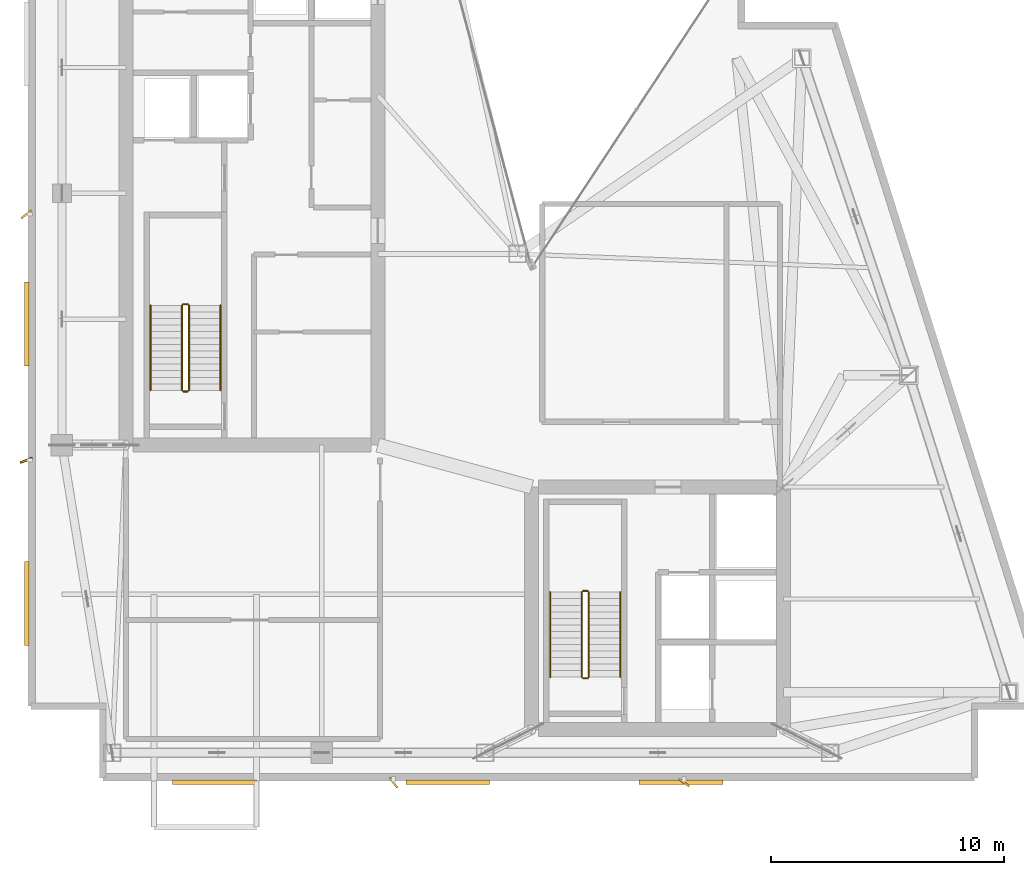
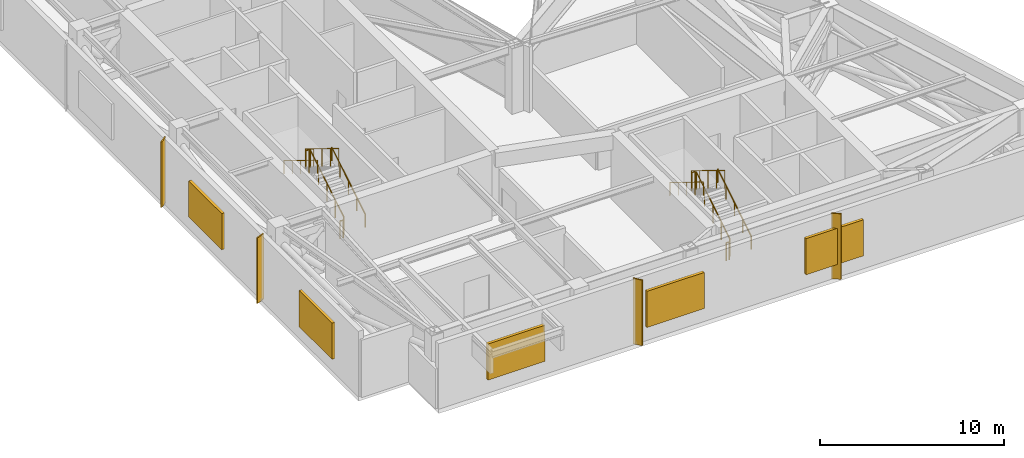
# One storey, part 14 of 15: 12 railings, 9 shading devices.
"""IFC4 building model written with IfcOpenShell, lengths in metres."""

from ifc_helpers import new_model, si_unit, direction, frame, origin, origin_2d, place, context, subcontext, project, spatial, rectangle, circle, extrude, material, type_object, element, save


model = new_model("IFC4")

# Units and contexts
model_context = context("Model", 3, precision=1e-05, world=origin(), true_north=direction((0.0, 1.0)))
body_context = subcontext(model_context, "Body", "Model", "MODEL_VIEW")
ifc_project = project(units=[si_unit("LENGTHUNIT", "METRE"), si_unit("AREAUNIT", "SQUARE_METRE"), si_unit("VOLUMEUNIT", "CUBIC_METRE"), si_unit("PLANEANGLEUNIT", "RADIAN"), si_unit("MASSUNIT", "GRAM", prefix="KILO")], contexts=[model_context])

# Site, building, storey
site_placement = place(None, origin())
site = spatial("IfcSite", under=ifc_project, at=site_placement, CompositionType="ELEMENT")
building_placement = place(site_placement, origin())
building = spatial("IfcBuilding", under=site, at=building_placement, Name="Calvorn Quay Hotel", CompositionType="ELEMENT")
storey_placement = place(building_placement, frame((0.0, 0.0, 282.5)))
storey = spatial("IfcBuildingStorey", under=building, at=storey_placement, Name="L70", CompositionType="ELEMENT", Elevation=282.5)

# Railings
ifc_material_1 = material(Name="Brushed Stainless Steel Handrail", Category="steel")
railing_type_1 = type_object("IfcRailingType", Name="RLG-HANDRAIL-900", PredefinedType="HANDRAIL", material=ifc_material_1)
railing_1_placement = place(storey_placement, frame((8.25, 19.14990234375, 0.17138671875)))
element("IfcRailing", 1, at=railing_1_placement, inside=storey, type_object=railing_type_1, Name="L70 ST-W stair handrail 1", PredefinedType="HANDRAIL", context=body_context, shape_type="SweptSolid", body=[
    extrude(circle(Radius=0.02392578125, at=origin_2d()), frame((0.0, 0.0, 0.8759765625), z_axis=(0.0, 0.852865859571, 0.52213008492), x_axis=(-1.0, 0.0, 0.0)), (0.0, 0.0, 1.0), 4.26806640625),
    extrude(circle(Radius=0.02099609375, at=origin_2d()), origin(), (0.0, 0.0, 1.0), 0.851806640625),
    extrude(circle(Radius=0.02099609375, at=origin_2d()), frame((0.0, 0.91015625, 0.55712890625)), (0.0, 0.0, 1.0), 0.851806640625),
    extrude(circle(Radius=0.02099609375, at=origin_2d()), frame((0.0, 1.820068359375, 1.1142578125)), (0.0, 0.0, 1.0), 0.851806640625),
    extrude(circle(Radius=0.02099609375, at=origin_2d()), frame((0.0, 2.72998046875, 1.67138671875)), (0.0, 0.0, 1.0), 0.851806640625),
    extrude(circle(Radius=0.02099609375, at=origin_2d()), frame((0.0, 3.64013671875, 2.228515625)), (0.0, 0.0, 1.0), 0.851806640625),
])
railing_2_placement = place(storey_placement, frame((5.25, 22.7900390625, 2.571533203125)))
element("IfcRailing", 2, at=railing_2_placement, inside=storey, type_object=railing_type_1, Name="L70 ST-W stair handrail 2", PredefinedType="HANDRAIL", context=body_context, shape_type="SweptSolid", body=[
    extrude(circle(Radius=0.02392578125, at=origin_2d()), frame((0.0, 0.0, 0.8759765625), z_axis=(0.0, -0.852865859571, 0.52213008492), x_axis=(1.0, 0.0, 0.0)), (0.0, 0.0, 1.0), 4.26806640625),
    extrude(circle(Radius=0.02099609375, at=origin_2d()), origin(), (0.0, 0.0, 1.0), 0.851806640625),
    extrude(circle(Radius=0.02099609375, at=origin_2d()), frame((0.0, -0.91015625, 0.55712890625)), (0.0, 0.0, 1.0), 0.851806640625),
    extrude(circle(Radius=0.02099609375, at=origin_2d()), frame((0.0, -1.820068359375, 1.1142578125)), (0.0, 0.0, 1.0), 0.851806640625),
    extrude(circle(Radius=0.02099609375, at=origin_2d()), frame((0.0, -2.72998046875, 1.67138671875)), (0.0, 0.0, 1.0), 0.851806640625),
    extrude(circle(Radius=0.02099609375, at=origin_2d()), frame((0.0, -3.64013671875, 2.228515625)), (0.0, 0.0, 1.0), 0.851806640625),
])
railing_3_placement = place(storey_placement, frame((25.39990234375, 6.85009765625, 0.17138671875)))
element("IfcRailing", 3, at=railing_3_placement, inside=storey, type_object=railing_type_1, Name="L70 ST-E stair handrail 1", PredefinedType="HANDRAIL", context=body_context, shape_type="SweptSolid", body=[
    extrude(circle(Radius=0.02392578125, at=origin_2d()), frame((0.0, 0.0, 0.8759765625), z_axis=(0.0, 0.852850264322, 0.5221555579), x_axis=(-1.0, 0.0, 0.0)), (0.0, 0.0, 1.0), 4.267822265625),
    extrude(circle(Radius=0.02099609375, at=origin_2d()), origin(), (0.0, 0.0, 1.0), 0.851806640625),
    extrude(circle(Radius=0.02099609375, at=origin_2d()), frame((0.0, 0.909912109375, 0.55712890625)), (0.0, 0.0, 1.0), 0.851806640625),
    extrude(circle(Radius=0.02099609375, at=origin_2d()), frame((0.0, 1.81982421875, 1.1142578125)), (0.0, 0.0, 1.0), 0.851806640625),
    extrude(circle(Radius=0.02099609375, at=origin_2d()), frame((0.0, 2.72998046875, 1.67138671875)), (0.0, 0.0, 1.0), 0.851806640625),
    extrude(circle(Radius=0.02099609375, at=origin_2d()), frame((0.0, 3.639892578125, 2.228515625)), (0.0, 0.0, 1.0), 0.851806640625),
])
railing_4_placement = place(storey_placement, frame((22.39990234375, 10.489990234375, 2.571533203125)))
element("IfcRailing", 4, at=railing_4_placement, inside=storey, type_object=railing_type_1, Name="L70 ST-E stair handrail 2", PredefinedType="HANDRAIL", context=body_context, shape_type="SweptSolid", body=[
    extrude(circle(Radius=0.02392578125, at=origin_2d()), frame((0.0, 0.0, 0.8759765625), z_axis=(0.0, -0.852850264322, 0.5221555579), x_axis=(1.0, 0.0, 0.0)), (0.0, 0.0, 1.0), 4.267822265625),
    extrude(circle(Radius=0.02099609375, at=origin_2d()), origin(), (0.0, 0.0, 1.0), 0.851806640625),
    extrude(circle(Radius=0.02099609375, at=origin_2d()), frame((0.0, -0.909912109375, 0.55712890625)), (0.0, 0.0, 1.0), 0.851806640625),
    extrude(circle(Radius=0.02099609375, at=origin_2d()), frame((0.0, -1.81982421875, 1.1142578125)), (0.0, 0.0, 1.0), 0.851806640625),
    extrude(circle(Radius=0.02099609375, at=origin_2d()), frame((0.0, -2.72998046875, 1.67138671875)), (0.0, 0.0, 1.0), 0.851806640625),
    extrude(circle(Radius=0.02099609375, at=origin_2d()), frame((0.0, -3.639892578125, 2.228515625)), (0.0, 0.0, 1.0), 0.851806640625),
])
ifc_material_2 = material(Name="Painted Galvanised Steel Balustrade", Category="steel")
railing_type_2 = type_object("IfcRailingType", Name="RLG-STAIR-GUARD-1120", PredefinedType="GUARDRAIL", material=ifc_material_2)
railing_5_placement = place(storey_placement, frame((6.89990234375, 19.14990234375, 0.17138671875)))
element("IfcRailing", 5, at=railing_5_placement, inside=storey, type_object=railing_type_2, Name="L70 ST-W stair guard 1", PredefinedType="GUARDRAIL", context=body_context, shape_type="SweptSolid", body=[
    extrude(circle(Radius=0.02392578125, at=origin_2d()), frame((0.0, 0.0, 1.17578125), z_axis=(0.0, 0.852865859571, 0.52213008492), x_axis=(-1.0, 0.0, 0.0)), (0.0, 0.0, 1.0), 4.26806640625),
    extrude(circle(Radius=0.02099609375, at=origin_2d()), origin(), (0.0, 0.0, 1.0), 1.15185546875),
    extrude(circle(Radius=0.02099609375, at=origin_2d()), frame((0.0, 0.91015625, 0.55712890625)), (0.0, 0.0, 1.0), 1.15185546875),
    extrude(circle(Radius=0.02099609375, at=origin_2d()), frame((0.0, 1.820068359375, 1.1142578125)), (0.0, 0.0, 1.0), 1.15185546875),
    extrude(circle(Radius=0.02099609375, at=origin_2d()), frame((0.0, 2.72998046875, 1.67138671875)), (0.0, 0.0, 1.0), 1.15185546875),
    extrude(circle(Radius=0.02099609375, at=origin_2d()), frame((0.0, 3.64013671875, 2.228515625)), (0.0, 0.0, 1.0), 1.15185546875),
])
railing_6_placement = place(storey_placement, frame((6.85009765625, 22.840087890625, 2.39990234375)))
element("IfcRailing", 6, at=railing_6_placement, inside=storey, type_object=railing_type_2, Name="L70 ST-W stair guard 2", PredefinedType="GUARDRAIL", context=body_context, shape_type="SweptSolid", body=[
    extrude(circle(Radius=0.02392578125, at=origin_2d()), frame((0.0, 0.0, 1.17578125), z_axis=(-1.0, 0.0, 0.0), x_axis=(0.0, -1.0, 0.0)), (0.0, 0.0, 1.0), 0.2001953125),
    extrude(circle(Radius=0.02099609375, at=origin_2d()), origin(), (0.0, 0.0, 1.0), 1.15185546875),
    extrude(circle(Radius=0.02099609375, at=origin_2d()), frame((-0.2001953125, 0.0, 0.0)), (0.0, 0.0, 1.0), 1.15185546875),
])
railing_7_placement = place(storey_placement, frame((6.60009765625, 22.7900390625, 2.571533203125)))
element("IfcRailing", 7, at=railing_7_placement, inside=storey, type_object=railing_type_2, Name="L70 ST-W stair guard 3", PredefinedType="GUARDRAIL", context=body_context, shape_type="SweptSolid", body=[
    extrude(circle(Radius=0.02392578125, at=origin_2d()), frame((0.0, 0.0, 1.17578125), z_axis=(0.0, -0.852865859571, 0.52213008492), x_axis=(1.0, 0.0, 0.0)), (0.0, 0.0, 1.0), 4.26806640625),
    extrude(circle(Radius=0.02099609375, at=origin_2d()), origin(), (0.0, 0.0, 1.0), 1.15185546875),
    extrude(circle(Radius=0.02099609375, at=origin_2d()), frame((0.0, -0.91015625, 0.55712890625)), (0.0, 0.0, 1.0), 1.15185546875),
    extrude(circle(Radius=0.02099609375, at=origin_2d()), frame((0.0, -1.820068359375, 1.1142578125)), (0.0, 0.0, 1.0), 1.15185546875),
    extrude(circle(Radius=0.02099609375, at=origin_2d()), frame((0.0, -2.72998046875, 1.67138671875)), (0.0, 0.0, 1.0), 1.15185546875),
    extrude(circle(Radius=0.02099609375, at=origin_2d()), frame((0.0, -3.64013671875, 2.228515625)), (0.0, 0.0, 1.0), 1.15185546875),
])
railing_8_placement = place(storey_placement, frame((6.85009765625, 19.10009765625, 0.0)))
element("IfcRailing", 8, at=railing_8_placement, inside=storey, type_object=railing_type_2, Name="L70 ST-W stair guard 4", PredefinedType="GUARDRAIL", context=body_context, shape_type="SweptSolid", body=[
    extrude(circle(Radius=0.02392578125, at=origin_2d()), frame((0.0, 0.0, 1.17578125), z_axis=(-1.0, 0.0, 0.0), x_axis=(0.0, -1.0, 0.0)), (0.0, 0.0, 1.0), 0.2001953125),
    extrude(circle(Radius=0.02099609375, at=origin_2d()), origin(), (0.0, 0.0, 1.0), 1.15185546875),
    extrude(circle(Radius=0.02099609375, at=origin_2d()), frame((-0.2001953125, 0.0, 0.0)), (0.0, 0.0, 1.0), 1.15185546875),
])
railing_9_placement = place(storey_placement, frame((24.050048828125, 6.85009765625, 0.17138671875)))
element("IfcRailing", 9, at=railing_9_placement, inside=storey, type_object=railing_type_2, Name="L70 ST-E stair guard 1", PredefinedType="GUARDRAIL", context=body_context, shape_type="SweptSolid", body=[
    extrude(circle(Radius=0.02392578125, at=origin_2d()), frame((0.0, 0.0, 1.17578125), z_axis=(0.0, 0.852850264322, 0.5221555579), x_axis=(-1.0, 0.0, 0.0)), (0.0, 0.0, 1.0), 4.267822265625),
    extrude(circle(Radius=0.02099609375, at=origin_2d()), origin(), (0.0, 0.0, 1.0), 1.15185546875),
    extrude(circle(Radius=0.02099609375, at=origin_2d()), frame((0.0, 0.909912109375, 0.55712890625)), (0.0, 0.0, 1.0), 1.15185546875),
    extrude(circle(Radius=0.02099609375, at=origin_2d()), frame((0.0, 1.81982421875, 1.1142578125)), (0.0, 0.0, 1.0), 1.15185546875),
    extrude(circle(Radius=0.02099609375, at=origin_2d()), frame((0.0, 2.72998046875, 1.67138671875)), (0.0, 0.0, 1.0), 1.15185546875),
    extrude(circle(Radius=0.02099609375, at=origin_2d()), frame((0.0, 3.639892578125, 2.228515625)), (0.0, 0.0, 1.0), 1.15185546875),
])
railing_10_placement = place(storey_placement, frame((24.0, 10.5400390625, 2.39990234375)))
element("IfcRailing", 10, at=railing_10_placement, inside=storey, type_object=railing_type_2, Name="L70 ST-E stair guard 2", PredefinedType="GUARDRAIL", context=body_context, shape_type="SweptSolid", body=[
    extrude(circle(Radius=0.02392578125, at=origin_2d()), frame((0.0, 0.0, 1.17578125), z_axis=(-1.0, 0.0, 0.0), x_axis=(0.0, -1.0, 0.0)), (0.0, 0.0, 1.0), 0.199951171875),
    extrude(circle(Radius=0.02099609375, at=origin_2d()), origin(), (0.0, 0.0, 1.0), 1.15185546875),
    extrude(circle(Radius=0.02099609375, at=origin_2d()), frame((-0.199951171875, 0.0, 0.0)), (0.0, 0.0, 1.0), 1.15185546875),
])
railing_11_placement = place(storey_placement, frame((23.75, 10.489990234375, 2.571533203125)))
element("IfcRailing", 11, at=railing_11_placement, inside=storey, type_object=railing_type_2, Name="L70 ST-E stair guard 3", PredefinedType="GUARDRAIL", context=body_context, shape_type="SweptSolid", body=[
    extrude(circle(Radius=0.02392578125, at=origin_2d()), frame((0.0, 0.0, 1.17578125), z_axis=(0.0, -0.852850264322, 0.5221555579), x_axis=(1.0, 0.0, 0.0)), (0.0, 0.0, 1.0), 4.267822265625),
    extrude(circle(Radius=0.02099609375, at=origin_2d()), origin(), (0.0, 0.0, 1.0), 1.15185546875),
    extrude(circle(Radius=0.02099609375, at=origin_2d()), frame((0.0, -0.909912109375, 0.55712890625)), (0.0, 0.0, 1.0), 1.15185546875),
    extrude(circle(Radius=0.02099609375, at=origin_2d()), frame((0.0, -1.81982421875, 1.1142578125)), (0.0, 0.0, 1.0), 1.15185546875),
    extrude(circle(Radius=0.02099609375, at=origin_2d()), frame((0.0, -2.72998046875, 1.67138671875)), (0.0, 0.0, 1.0), 1.15185546875),
    extrude(circle(Radius=0.02099609375, at=origin_2d()), frame((0.0, -3.639892578125, 2.228515625)), (0.0, 0.0, 1.0), 1.15185546875),
])
railing_12_placement = place(storey_placement, frame((24.0, 6.800048828125, 0.0)))
element("IfcRailing", 12, at=railing_12_placement, inside=storey, type_object=railing_type_2, Name="L70 ST-E stair guard 4", PredefinedType="GUARDRAIL", context=body_context, shape_type="SweptSolid", body=[
    extrude(circle(Radius=0.02392578125, at=origin_2d()), frame((0.0, 0.0, 1.17578125), z_axis=(-1.0, 0.0, 0.0), x_axis=(0.0, -1.0, 0.0)), (0.0, 0.0, 1.0), 0.199951171875),
    extrude(circle(Radius=0.02099609375, at=origin_2d()), origin(), (0.0, 0.0, 1.0), 1.15185546875),
    extrude(circle(Radius=0.02099609375, at=origin_2d()), frame((-0.199951171875, 0.0, 0.0)), (0.0, 0.0, 1.0), 1.15185546875),
])

# Shading devices
ifc_material_3 = material(Name="Champagne Bronze Anodised Aluminium 6063-T6", Category="aluminium")
shading_device_type_1 = type_object("IfcShadingDeviceType", Name="SHD-FIN-A1", PredefinedType="USERDEFINED", material=ifc_material_3)
shading_device_1_placement = place(storey_placement, frame((-0.080078125, 16.14990234375, 0.0), z_axis=(0.0, 0.0, 1.0), x_axis=(0.927183854567, 0.374606593416, 0.0)))
element("IfcShadingDevice", 13, at=shading_device_1_placement, inside=storey, type_object=shading_device_type_1, Name="Diagonal Sun-Shading Fin L70-W01", ObjectType="FIN", PredefinedType="USERDEFINED", context=body_context, shape_type="SweptSolid", body=[
    extrude(rectangle(XDim=0.550048828125, YDim=0.080078125, at=origin_2d()), origin(), (0.0, 0.0, 1.0), 4.35009765625),
])
ifc_material_4 = material(Name="Champagne Bronze Anodised Aluminium 6063-T6", Category="aluminium")
shading_device_type_2 = type_object("IfcShadingDeviceType", Name="SHD-FIN-A2", PredefinedType="USERDEFINED", material=ifc_material_4)
for number, where, z_axis, x_axis, name in (
    (14, (-0.080078125, 26.699951171875, 0.0), (0.0, 0.0, 1.0), (0.788010753607, 0.615661475326, 0.0), "Diagonal Sun-Shading Fin L70-W02"),
    (15, (15.6669921875, 2.320068359375, 0.0), (0.0, 0.0, 1.0), (-0.615661475326, 0.788010753607, 0.0), "Diagonal Sun-Shading Fin L70-S01"),
):
    element("IfcShadingDevice", number, at=place(storey_placement, frame(where, z_axis=z_axis, x_axis=x_axis)), inside=storey, type_object=shading_device_type_2, Name=name, ObjectType="FIN", PredefinedType="USERDEFINED", context=body_context, shape_type="SweptSolid", body=[
        extrude(rectangle(XDim=0.550048828125, YDim=0.080078125, at=origin_2d()), origin(), (0.0, 0.0, 1.0), 4.35009765625),
    ])
ifc_material_5 = material(Name="Champagne Bronze Anodised Aluminium 6063-T6", Category="aluminium")
shading_device_type_3 = type_object("IfcShadingDeviceType", Name="SHD-FIN-A3", PredefinedType="USERDEFINED", material=ifc_material_5)
shading_device_2_placement = place(storey_placement, frame((28.133056640625, 2.320068359375, 0.0), z_axis=(0.0, 0.0, 1.0), x_axis=(-0.809016994375, 0.587785252292, 0.0)))
element("IfcShadingDevice", 16, at=shading_device_2_placement, inside=storey, type_object=shading_device_type_3, Name="Diagonal Sun-Shading Fin L70-S02", ObjectType="FIN", PredefinedType="USERDEFINED", context=body_context, shape_type="SweptSolid", body=[
    extrude(rectangle(XDim=0.550048828125, YDim=0.080078125, at=origin_2d()), origin(), (0.0, 0.0, 1.0), 4.35009765625),
])
ifc_material_6 = material(Name="Anodised Aluminium 6063-T6", Category="aluminium")
shading_device_type_4 = type_object("IfcShadingDeviceType", Name="SHD-MECH-LOUVRE", PredefinedType="USERDEFINED", material=ifc_material_6)
for number, where, z_axis, x_axis, name in (
    (17, (-0.06005859375, 10.0, 0.97509765625), (0.0, 0.0, 1.0), (1.0, 0.0, 0.0), "Refuge Stormproof Intake Louvre L70-W1"),
    (18, (-0.06005859375, 22.0, 0.97509765625), (0.0, 0.0, 1.0), (1.0, 0.0, 0.0), "Refuge Stormproof Intake Louvre L70-W2"),
):
    element("IfcShadingDevice", number, at=place(storey_placement, frame(where, z_axis=z_axis, x_axis=x_axis)), inside=storey, type_object=shading_device_type_4, Name=name, ObjectType="LOUVRE", PredefinedType="USERDEFINED", context=body_context, shape_type="SweptSolid", body=[
        extrude(rectangle(XDim=0.179931640625, YDim=3.60009765625, at=origin_2d()), origin(), (0.0, 0.0, 1.0), 2.39990234375),
    ])
for number, where, z_axis, x_axis, name in (
    (19, (8.0, 2.340087890625, 0.97509765625), (0.0, 0.0, 1.0), (1.0, 0.0, 0.0), "Refuge Exhaust Louvre L70-S1"),
    (20, (18.0, 2.340087890625, 0.97509765625), (0.0, 0.0, 1.0), (1.0, 0.0, 0.0), "Refuge Exhaust Louvre L70-S2"),
    (21, (28.0, 2.340087890625, 0.97509765625), (0.0, 0.0, 1.0), (1.0, 0.0, 0.0), "Refuge Exhaust Louvre L70-S3"),
):
    element("IfcShadingDevice", number, at=place(storey_placement, frame(where, z_axis=z_axis, x_axis=x_axis)), inside=storey, type_object=shading_device_type_4, Name=name, ObjectType="LOUVRE", PredefinedType="USERDEFINED", context=body_context, shape_type="SweptSolid", body=[
        extrude(rectangle(XDim=3.60009765625, YDim=0.179931640625, at=origin_2d()), origin(), (0.0, 0.0, 1.0), 2.39990234375),
    ])

save(model, "model.ifc")
